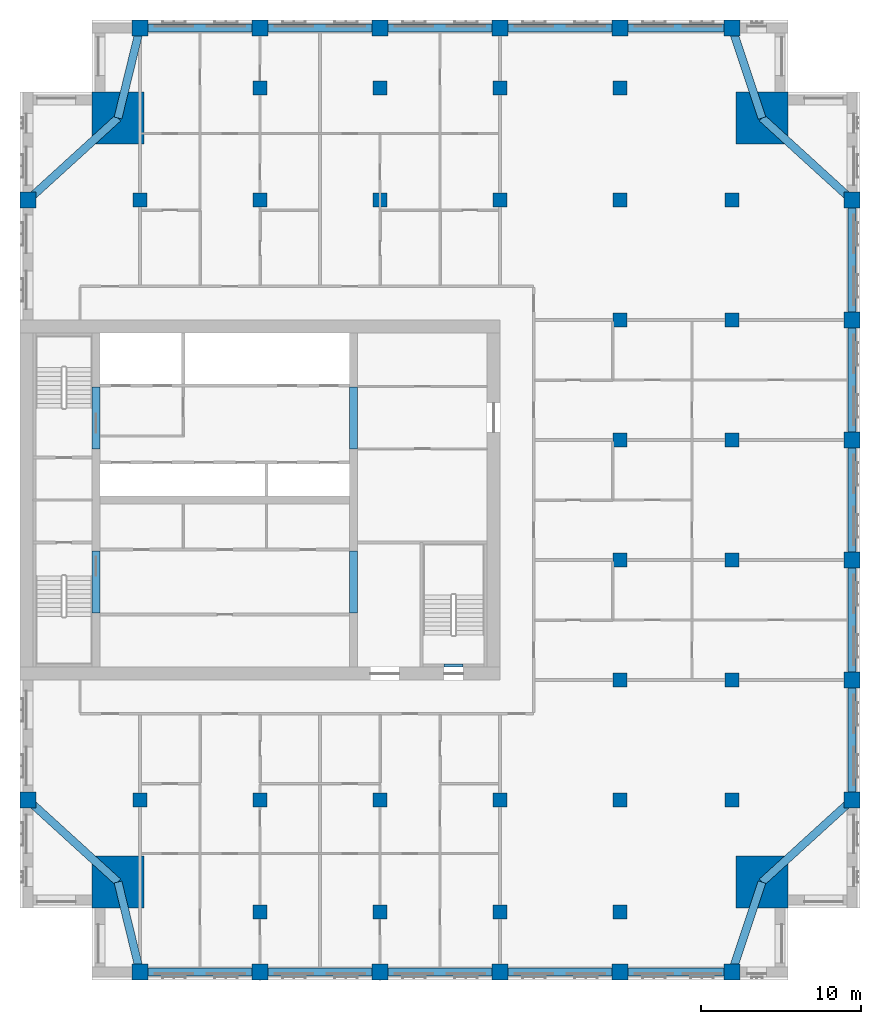
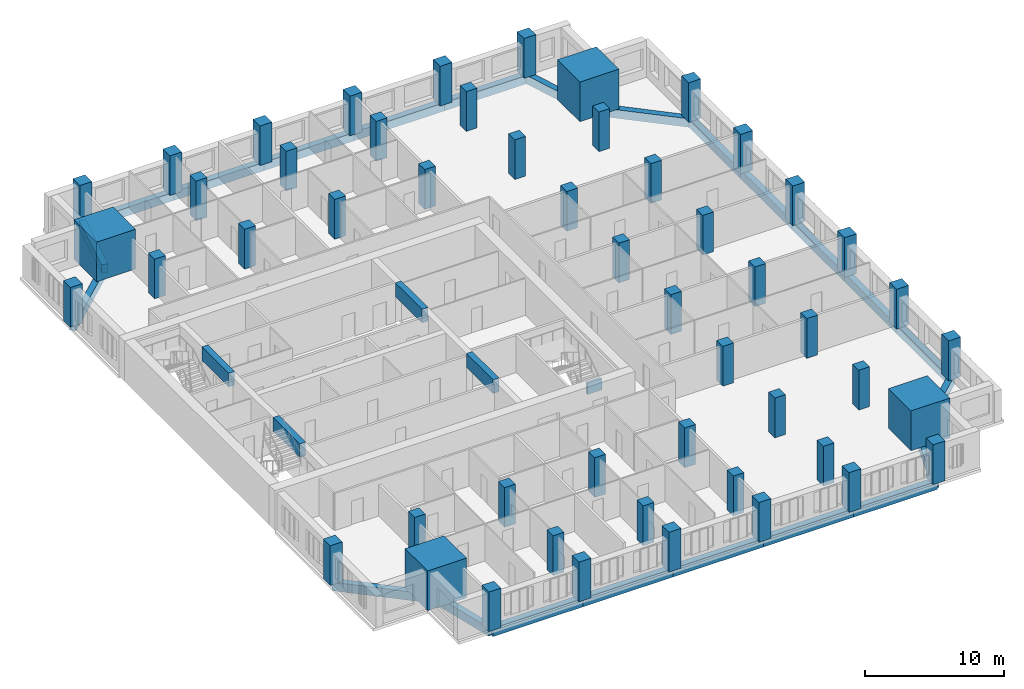
# One storey, part 1 of 14: 52 columns, 28 beams.
"""IFC4 building model written with IfcOpenShell, lengths in metres."""

from ifc_helpers import new_model, si_unit, direction, frame, origin, origin_2d, place, context, subcontext, project, spatial, rectangle, extrude, material, material_profile, profile_set, type_object, element, save


model = new_model("IFC4")

# Units and contexts
model_context = context("Model", 3, precision=1e-05, world=origin(), true_north=direction((0.0, 1.0)))
body_context = subcontext(model_context, "Body", "Model", "MODEL_VIEW")
ifc_project = project(units=[si_unit("LENGTHUNIT", "METRE"), si_unit("AREAUNIT", "SQUARE_METRE"), si_unit("VOLUMEUNIT", "CUBIC_METRE"), si_unit("PLANEANGLEUNIT", "RADIAN"), si_unit("MASSUNIT", "GRAM", prefix="KILO")], contexts=[model_context])

# Site, building, storey
site_placement = place(None, origin())
site = spatial("IfcSite", under=ifc_project, at=site_placement, CompositionType="ELEMENT")
building_placement = place(site_placement, origin())
building = spatial("IfcBuilding", under=site, at=building_placement, Name="Tamorin Gate", CompositionType="ELEMENT")
storey_placement = place(building_placement, frame((0.0, 0.0, 196.699951171875)))
storey = spatial("IfcBuildingStorey", under=building, at=storey_placement, Name="L48", CompositionType="ELEMENT", Elevation=196.699951171875)

# Columns
ifc_material_1 = material(Name="Concrete C60/75", Category="concrete")
ifc_material_profile_1 = material_profile(ifc_material_1, rectangle(XDim=1.0, YDim=1.0, at=origin_2d()), Name="RC 1000x1000")
ifc_profile_set_1 = profile_set([ifc_material_profile_1], Name="Concrete C60/75")
column_type_1 = type_object("IfcColumnType", Name="RC column 1000x1000 C60/75", PredefinedType="COLUMN", material=ifc_profile_set_1)
for number, where, z_axis, x_axis, name in (
    (1, (37.5, 41.75, 0.0), (0.0, 0.0, 1.0), (1.0, 0.0, 0.0), "Ring column L48"),
    (2, (45.0, 41.75, 0.0), (0.0, 0.0, 1.0), (1.0, 0.0, 0.0), "Ring column L48"),
    (3, (52.5, 41.75, 0.0), (0.0, 0.0, 1.0), (1.0, 0.0, 0.0), "Ring column L48"),
    (4, (60.0, 41.75, 0.0), (0.0, 0.0, 1.0), (1.0, 0.0, 0.0), "Ring column L48"),
    (5, (67.5, 41.75, 0.0), (0.0, 0.0, 1.0), (1.0, 0.0, 0.0), "Ring column L48"),
    (6, (74.5, 41.75, 0.0), (0.0, 0.0, 1.0), (1.0, 0.0, 0.0), "Ring column L48"),
    (7, (37.5, 100.75, 0.0), (0.0, 0.0, 1.0), (1.0, 0.0, 0.0), "Ring column L48"),
    (8, (45.0, 100.75, 0.0), (0.0, 0.0, 1.0), (1.0, 0.0, 0.0), "Ring column L48"),
    (9, (52.5, 100.75, 0.0), (0.0, 0.0, 1.0), (1.0, 0.0, 0.0), "Ring column L48"),
    (10, (60.0, 100.75, 0.0), (0.0, 0.0, 1.0), (1.0, 0.0, 0.0), "Ring column L48"),
    (11, (67.5, 100.75, 0.0), (0.0, 0.0, 1.0), (1.0, 0.0, 0.0), "Ring column L48"),
    (12, (74.5, 100.75, 0.0), (0.0, 0.0, 1.0), (1.0, 0.0, 0.0), "Ring column L48"),
    (13, (30.5, 52.5, 0.0), (0.0, 0.0, 1.0), (1.0, 0.0, 0.0), "Ring column L48"),
    (14, (30.5, 90.0, 0.0), (0.0, 0.0, 1.0), (1.0, 0.0, 0.0), "Ring column L48"),
    (15, (82.0, 52.5, 0.0), (0.0, 0.0, 1.0), (1.0, 0.0, 0.0), "Ring column L48"),
    (16, (82.0, 60.0, 0.0), (0.0, 0.0, 1.0), (1.0, 0.0, 0.0), "Ring column L48"),
    (17, (82.0, 67.5, 0.0), (0.0, 0.0, 1.0), (1.0, 0.0, 0.0), "Ring column L48"),
    (18, (82.0, 75.0, 0.0), (0.0, 0.0, 1.0), (1.0, 0.0, 0.0), "Ring column L48"),
    (19, (82.0, 82.5, 0.0), (0.0, 0.0, 1.0), (1.0, 0.0, 0.0), "Ring column L48"),
    (20, (82.0, 90.0, 0.0), (0.0, 0.0, 1.0), (1.0, 0.0, 0.0), "Ring column L48"),
):
    element("IfcColumn", number, at=place(storey_placement, frame(where, z_axis=z_axis, x_axis=x_axis)), inside=storey, type_object=column_type_1, Name=name, PredefinedType="COLUMN", context=body_context, shape_type="SweptSolid", body=[
        extrude(rectangle(XDim=1.0, YDim=1.0, at=origin_2d()), origin(), (0.0, 0.0, 1.0), 3.5),
    ])
ifc_material_profile_2 = material_profile(ifc_material_1, rectangle(XDim=3.25, YDim=3.25, at=origin_2d()), Name="RC 3250x3250")
ifc_profile_set_2 = profile_set([ifc_material_profile_2], Name="Concrete C60/75")
column_type_2 = type_object("IfcColumnType", Name="RC column 3250x3250 C60/75", PredefinedType="COLUMN", material=ifc_profile_set_2)
for number, where, z_axis, x_axis, name in (
    (21, (36.125, 47.375, 0.0), (0.0, 0.0, 1.0), (1.0, 0.0, 0.0), "Mega column SW L48"),
    (22, (76.375, 47.375, 0.0), (0.0, 0.0, 1.0), (1.0, 0.0, 0.0), "Mega column SE L48"),
    (23, (36.125, 95.125, 0.0), (0.0, 0.0, 1.0), (1.0, 0.0, 0.0), "Mega column NW L48"),
    (24, (76.375, 95.125, 0.0), (0.0, 0.0, 1.0), (1.0, 0.0, 0.0), "Mega column NE L48"),
):
    element("IfcColumn", number, at=place(storey_placement, frame(where, z_axis=z_axis, x_axis=x_axis)), inside=storey, type_object=column_type_2, Name=name, PredefinedType="COLUMN", context=body_context, shape_type="SweptSolid", body=[
        extrude(rectangle(XDim=3.25, YDim=3.25, at=origin_2d()), origin(), (0.0, 0.0, 1.0), 3.5),
    ])
ifc_material_profile_3 = material_profile(ifc_material_1, rectangle(XDim=0.89990234375, YDim=0.89990234375, at=origin_2d()), Name="RC 900x900")
ifc_profile_set_3 = profile_set([ifc_material_profile_3], Name="Concrete C60/75")
column_type_3 = type_object("IfcColumnType", Name="RC column 900x900 C60/75", PredefinedType="COLUMN", material=ifc_profile_set_3)
for number, where, z_axis, x_axis, name in (
    (25, (37.5, 52.5, 0.0), (0.0, 0.0, 1.0), (1.0, 0.0, 0.0), "Interior column L48"),
    (26, (37.5, 90.0, 0.0), (0.0, 0.0, 1.0), (1.0, 0.0, 0.0), "Interior column L48"),
    (27, (45.0, 45.5, 0.0), (0.0, 0.0, 1.0), (1.0, 0.0, 0.0), "Interior column L48"),
    (28, (45.0, 52.5, 0.0), (0.0, 0.0, 1.0), (1.0, 0.0, 0.0), "Interior column L48"),
    (29, (45.0, 90.0, 0.0), (0.0, 0.0, 1.0), (1.0, 0.0, 0.0), "Interior column L48"),
    (30, (45.0, 97.0, 0.0), (0.0, 0.0, 1.0), (1.0, 0.0, 0.0), "Interior column L48"),
    (31, (52.5, 45.5, 0.0), (0.0, 0.0, 1.0), (1.0, 0.0, 0.0), "Interior column L48"),
    (32, (52.5, 52.5, 0.0), (0.0, 0.0, 1.0), (1.0, 0.0, 0.0), "Interior column L48"),
    (33, (52.5, 90.0, 0.0), (0.0, 0.0, 1.0), (1.0, 0.0, 0.0), "Interior column L48"),
    (34, (52.5, 97.0, 0.0), (0.0, 0.0, 1.0), (1.0, 0.0, 0.0), "Interior column L48"),
    (35, (60.0, 45.5, 0.0), (0.0, 0.0, 1.0), (1.0, 0.0, 0.0), "Interior column L48"),
    (36, (60.0, 52.5, 0.0), (0.0, 0.0, 1.0), (1.0, 0.0, 0.0), "Interior column L48"),
    (37, (60.0, 90.0, 0.0), (0.0, 0.0, 1.0), (1.0, 0.0, 0.0), "Interior column L48"),
    (38, (60.0, 97.0, 0.0), (0.0, 0.0, 1.0), (1.0, 0.0, 0.0), "Interior column L48"),
    (39, (67.5, 45.5, 0.0), (0.0, 0.0, 1.0), (1.0, 0.0, 0.0), "Interior column L48"),
    (40, (67.5, 52.5, 0.0), (0.0, 0.0, 1.0), (1.0, 0.0, 0.0), "Interior column L48"),
    (41, (67.5, 60.0, 0.0), (0.0, 0.0, 1.0), (1.0, 0.0, 0.0), "Interior column L48"),
    (42, (67.5, 67.5, 0.0), (0.0, 0.0, 1.0), (1.0, 0.0, 0.0), "Interior column L48"),
    (43, (67.5, 75.0, 0.0), (0.0, 0.0, 1.0), (1.0, 0.0, 0.0), "Interior column L48"),
    (44, (67.5, 82.5, 0.0), (0.0, 0.0, 1.0), (1.0, 0.0, 0.0), "Interior column L48"),
    (45, (67.5, 90.0, 0.0), (0.0, 0.0, 1.0), (1.0, 0.0, 0.0), "Interior column L48"),
    (46, (67.5, 97.0, 0.0), (0.0, 0.0, 1.0), (1.0, 0.0, 0.0), "Interior column L48"),
    (47, (74.5, 52.5, 0.0), (0.0, 0.0, 1.0), (1.0, 0.0, 0.0), "Interior column L48"),
    (48, (74.5, 60.0, 0.0), (0.0, 0.0, 1.0), (1.0, 0.0, 0.0), "Interior column L48"),
    (49, (74.5, 67.5, 0.0), (0.0, 0.0, 1.0), (1.0, 0.0, 0.0), "Interior column L48"),
    (50, (74.5, 75.0, 0.0), (0.0, 0.0, 1.0), (1.0, 0.0, 0.0), "Interior column L48"),
    (51, (74.5, 82.5, 0.0), (0.0, 0.0, 1.0), (1.0, 0.0, 0.0), "Interior column L48"),
    (52, (74.5, 90.0, 0.0), (0.0, 0.0, 1.0), (1.0, 0.0, 0.0), "Interior column L48"),
):
    element("IfcColumn", number, at=place(storey_placement, frame(where, z_axis=z_axis, x_axis=x_axis)), inside=storey, type_object=column_type_3, Name=name, PredefinedType="COLUMN", context=body_context, shape_type="SweptSolid", body=[
        extrude(rectangle(XDim=0.89990234375, YDim=0.89990234375, at=origin_2d()), origin(), (0.0, 0.0, 1.0), 3.5),
    ])

# Beams
ifc_material_profile_4 = material_profile(ifc_material_1, rectangle(XDim=0.5, YDim=1.199951171875, at=origin_2d()), Name="RC 500x1200")
ifc_profile_set_4 = profile_set([ifc_material_profile_4], Name="Concrete C60/75")
beam_type_1 = type_object("IfcBeamType", Name="RC coupling beam 500x1200 C60/75", PredefinedType="BEAM", material=ifc_profile_set_4)
for number, where, z_axis, x_axis, name in (
    (53, (34.75, 64.199951171875, 2.900146484375), (0.0, 1.0, 0.0), (-1.0, 0.0, 0.0), "Coupling beam L48"),
    (54, (34.75, 74.449951171875, 2.900146484375), (0.0, 1.0, 0.0), (-1.0, 0.0, 0.0), "Coupling beam L48"),
    (55, (50.85009765625, 64.199951171875, 2.900146484375), (0.0, 1.0, 0.0), (-1.0, 0.0, 0.0), "Coupling beam L48"),
    (56, (50.85009765625, 74.449951171875, 2.900146484375), (0.0, 1.0, 0.0), (-1.0, 0.0, 0.0), "Coupling beam L48"),
):
    element("IfcBeam", number, at=place(storey_placement, frame(where, z_axis=z_axis, x_axis=x_axis)), inside=storey, type_object=beam_type_1, Name=name, PredefinedType="BEAM", context=body_context, shape_type="SweptSolid", body=[
        extrude(rectangle(XDim=0.5, YDim=1.199951171875, at=origin_2d()), origin(), (0.0, 0.0, 1.0), 3.85009765625),
    ])
ifc_material_2 = material(Name="Concrete C50/60", Category="concrete")
ifc_material_profile_5 = material_profile(ifc_material_2, rectangle(XDim=0.5, YDim=0.75, at=origin_2d()), Name="RC 500x750")
ifc_profile_set_5 = profile_set([ifc_material_profile_5], Name="Concrete C50/60")
beam_type_2 = type_object("IfcBeamType", Name="RC spandrel 500x750 C50/60", PredefinedType="BEAM", material=ifc_profile_set_5)
for number, where, z_axis, x_axis, name in (
    (57, (37.5, 41.75, -0.375), (1.0, 0.0, 0.0), (0.0, 1.0, 0.0), "Spandrel beam L48"),
    (58, (45.0, 41.75, -0.375), (1.0, 0.0, 0.0), (0.0, 1.0, 0.0), "Spandrel beam L48"),
    (59, (52.5, 41.75, -0.375), (1.0, 0.0, 0.0), (0.0, 1.0, 0.0), "Spandrel beam L48"),
    (60, (60.0, 41.75, -0.375), (1.0, 0.0, 0.0), (0.0, 1.0, 0.0), "Spandrel beam L48"),
):
    element("IfcBeam", number, at=place(storey_placement, frame(where, z_axis=z_axis, x_axis=x_axis)), inside=storey, type_object=beam_type_2, Name=name, PredefinedType="BEAM", context=body_context, shape_type="SweptSolid", body=[
        extrude(rectangle(XDim=0.5, YDim=0.75, at=origin_2d()), origin(), (0.0, 0.0, 1.0), 7.5),
    ])
beam_1_placement = place(storey_placement, frame((67.5, 41.75, -0.375), z_axis=(1.0, 0.0, 0.0), x_axis=(0.0, 1.0, 0.0)))
element("IfcBeam", 61, at=beam_1_placement, inside=storey, type_object=beam_type_2, Name="Spandrel beam L48", PredefinedType="BEAM", context=body_context, shape_type="SweptSolid", body=[
    extrude(rectangle(XDim=0.5, YDim=0.75, at=origin_2d()), origin(), (0.0, 0.0, 1.0), 7.0),
])
for number, where, z_axis, x_axis, name in (
    (62, (82.0, 52.5, -0.375), (0.0, 1.0, 0.0), (-1.0, 0.0, 0.0), "Spandrel beam L48"),
    (63, (82.0, 60.0, -0.375), (0.0, 1.0, 0.0), (-1.0, 0.0, 0.0), "Spandrel beam L48"),
    (64, (82.0, 67.5, -0.375), (0.0, 1.0, 0.0), (-1.0, 0.0, 0.0), "Spandrel beam L48"),
    (65, (82.0, 75.0, -0.375), (0.0, 1.0, 0.0), (-1.0, 0.0, 0.0), "Spandrel beam L48"),
    (66, (82.0, 82.5, -0.375), (0.0, 1.0, 0.0), (-1.0, 0.0, 0.0), "Spandrel beam L48"),
):
    element("IfcBeam", number, at=place(storey_placement, frame(where, z_axis=z_axis, x_axis=x_axis)), inside=storey, type_object=beam_type_2, Name=name, PredefinedType="BEAM", context=body_context, shape_type="SweptSolid", body=[
        extrude(rectangle(XDim=0.5, YDim=0.75, at=origin_2d()), origin(), (0.0, 0.0, 1.0), 7.5),
    ])
beam_2_placement = place(storey_placement, frame((74.5, 100.75, -0.375), z_axis=(-1.0, 0.0, 0.0), x_axis=(0.0, -1.0, 0.0)))
element("IfcBeam", 67, at=beam_2_placement, inside=storey, type_object=beam_type_2, Name="Spandrel beam L48", PredefinedType="BEAM", context=body_context, shape_type="SweptSolid", body=[
    extrude(rectangle(XDim=0.5, YDim=0.75, at=origin_2d()), origin(), (0.0, 0.0, 1.0), 7.0),
])
for number, where, z_axis, x_axis, name in (
    (68, (67.5, 100.75, -0.375), (-1.0, 0.0, 0.0), (0.0, -1.0, 0.0), "Spandrel beam L48"),
    (69, (60.0, 100.75, -0.375), (-1.0, 0.0, 0.0), (0.0, -1.0, 0.0), "Spandrel beam L48"),
    (70, (52.5, 100.75, -0.375), (-1.0, 0.0, 0.0), (0.0, -1.0, 0.0), "Spandrel beam L48"),
    (71, (45.0, 100.75, -0.375), (-1.0, 0.0, 0.0), (0.0, -1.0, 0.0), "Spandrel beam L48"),
):
    element("IfcBeam", number, at=place(storey_placement, frame(where, z_axis=z_axis, x_axis=x_axis)), inside=storey, type_object=beam_type_2, Name=name, PredefinedType="BEAM", context=body_context, shape_type="SweptSolid", body=[
        extrude(rectangle(XDim=0.5, YDim=0.75, at=origin_2d()), origin(), (0.0, 0.0, 1.0), 7.5),
    ])
beam_3_placement = place(storey_placement, frame((36.125, 47.375, -0.375), z_axis=(0.237453090477, -0.971399006497, 0.0), x_axis=(0.971399006497, 0.237453090477, 0.0)))
element("IfcBeam", 72, at=beam_3_placement, inside=storey, type_object=beam_type_2, Name="Corner tie beam L48", PredefinedType="BEAM", context=body_context, shape_type="SweptSolid", body=[
    extrude(rectangle(XDim=0.5, YDim=0.75, at=origin_2d()), origin(), (0.0, 0.0, 1.0), 5.79052734375),
])
beam_4_placement = place(storey_placement, frame((36.125, 47.375, -0.375), z_axis=(-0.739196337275, 0.673489996184, 0.0), x_axis=(-0.673489996184, -0.739196337275, 0.0)))
element("IfcBeam", 73, at=beam_4_placement, inside=storey, type_object=beam_type_2, Name="Corner tie beam L48", PredefinedType="BEAM", context=body_context, shape_type="SweptSolid", body=[
    extrude(rectangle(XDim=0.5, YDim=0.75, at=origin_2d()), origin(), (0.0, 0.0, 1.0), 7.609619140625),
])
beam_5_placement = place(storey_placement, frame((76.375, 47.375, -0.375), z_axis=(-0.316227766017, -0.948683298051, 0.0), x_axis=(0.948683298051, -0.316227766017, 0.0)))
element("IfcBeam", 74, at=beam_5_placement, inside=storey, type_object=beam_type_2, Name="Corner tie beam L48", PredefinedType="BEAM", context=body_context, shape_type="SweptSolid", body=[
    extrude(rectangle(XDim=0.5, YDim=0.75, at=origin_2d()), origin(), (0.0, 0.0, 1.0), 5.92919921875),
])
beam_6_placement = place(storey_placement, frame((76.375, 47.375, -0.375), z_axis=(0.739196337275, 0.673489996184, 0.0), x_axis=(-0.673489996184, 0.739196337275, 0.0)))
element("IfcBeam", 75, at=beam_6_placement, inside=storey, type_object=beam_type_2, Name="Corner tie beam L48", PredefinedType="BEAM", context=body_context, shape_type="SweptSolid", body=[
    extrude(rectangle(XDim=0.5, YDim=0.75, at=origin_2d()), origin(), (0.0, 0.0, 1.0), 7.609619140625),
])
beam_7_placement = place(storey_placement, frame((36.125, 95.125, -0.375), z_axis=(0.237453090477, 0.971399006497, 0.0), x_axis=(-0.971399006497, 0.237453090477, 0.0)))
element("IfcBeam", 76, at=beam_7_placement, inside=storey, type_object=beam_type_2, Name="Corner tie beam L48", PredefinedType="BEAM", context=body_context, shape_type="SweptSolid", body=[
    extrude(rectangle(XDim=0.5, YDim=0.75, at=origin_2d()), origin(), (0.0, 0.0, 1.0), 5.79052734375),
])
beam_8_placement = place(storey_placement, frame((36.125, 95.125, -0.375), z_axis=(-0.739196337275, -0.673489996184, 0.0), x_axis=(0.673489996184, -0.739196337275, 0.0)))
element("IfcBeam", 77, at=beam_8_placement, inside=storey, type_object=beam_type_2, Name="Corner tie beam L48", PredefinedType="BEAM", context=body_context, shape_type="SweptSolid", body=[
    extrude(rectangle(XDim=0.5, YDim=0.75, at=origin_2d()), origin(), (0.0, 0.0, 1.0), 7.609619140625),
])
beam_9_placement = place(storey_placement, frame((76.375, 95.125, -0.375), z_axis=(-0.316227766017, 0.948683298051, 0.0), x_axis=(-0.948683298051, -0.316227766017, 0.0)))
element("IfcBeam", 78, at=beam_9_placement, inside=storey, type_object=beam_type_2, Name="Corner tie beam L48", PredefinedType="BEAM", context=body_context, shape_type="SweptSolid", body=[
    extrude(rectangle(XDim=0.5, YDim=0.75, at=origin_2d()), origin(), (0.0, 0.0, 1.0), 5.92919921875),
])
beam_10_placement = place(storey_placement, frame((76.375, 95.125, -0.375), z_axis=(0.739196337275, -0.673489996184, 0.0), x_axis=(0.673489996184, 0.739196337275, 0.0)))
element("IfcBeam", 79, at=beam_10_placement, inside=storey, type_object=beam_type_2, Name="Corner tie beam L48", PredefinedType="BEAM", context=body_context, shape_type="SweptSolid", body=[
    extrude(rectangle(XDim=0.5, YDim=0.75, at=origin_2d()), origin(), (0.0, 0.0, 1.0), 7.609619140625),
])
ifc_material_profile_6 = material_profile(ifc_material_1, rectangle(XDim=0.199951171875, YDim=1.0, at=origin_2d()))
ifc_profile_set_6 = profile_set([ifc_material_profile_6], Name="Concrete C60/75")
beam_type_3 = type_object("IfcBeamType", Name="Stair lintel 200x1000 C60/75", PredefinedType="BEAM", material=ifc_profile_set_6)
beam_11_placement = place(storey_placement, frame((56.5, 60.89990234375, 2.699951171875), z_axis=(1.0, 0.0, 0.0), x_axis=(0.0, 1.0, 0.0)))
element("IfcBeam", 80, at=beam_11_placement, inside=storey, type_object=beam_type_3, Name="Stair lintel", PredefinedType="BEAM", context=body_context, shape_type="SweptSolid", body=[
    extrude(rectangle(XDim=0.199951171875, YDim=1.0, at=origin_2d()), origin(), (0.0, 0.0, 1.0), 1.199951171875),
])

save(model, "model.ifc")
